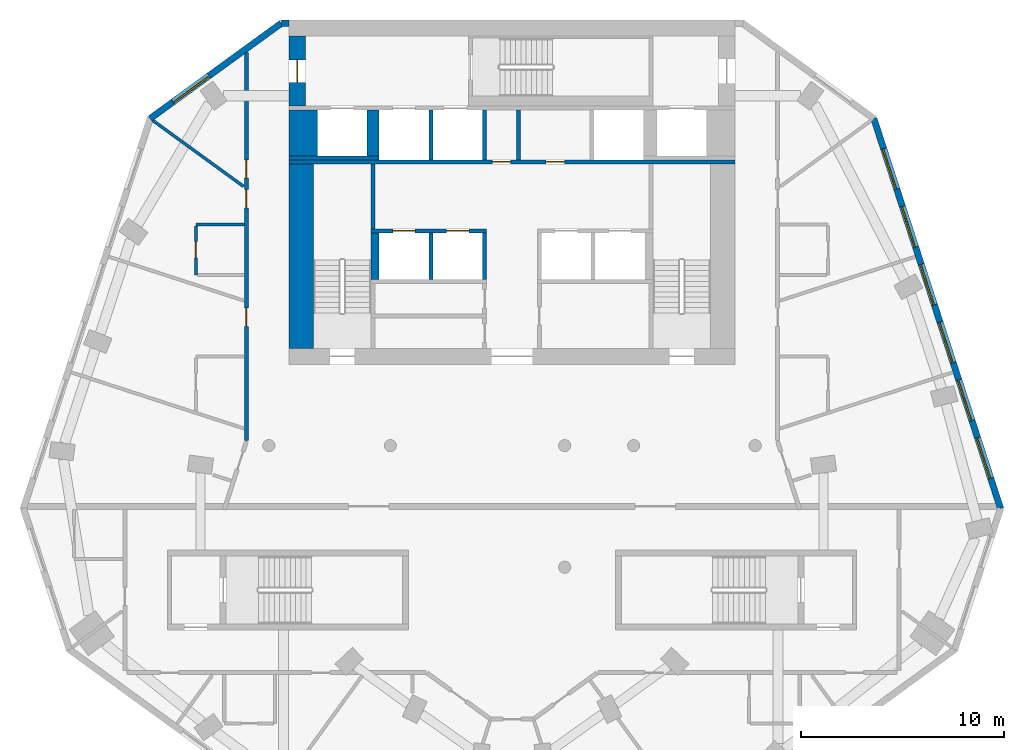
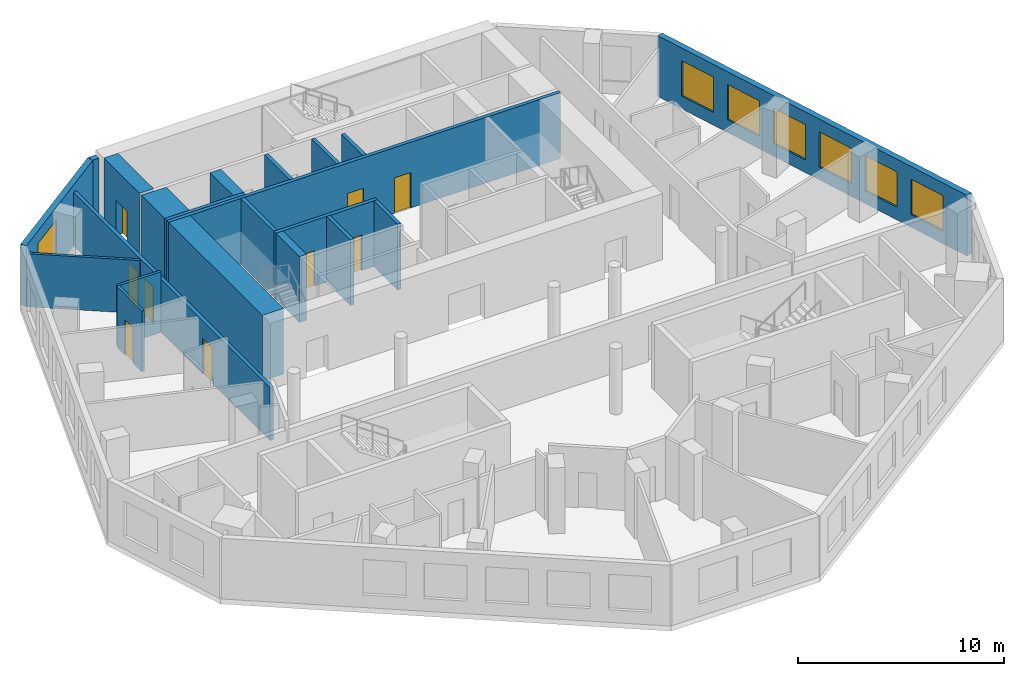
# One storey, part 5 of 9: 21 walls, 9 doors, 7 windows, 16 openings.
"""IFC4 building model written with IfcOpenShell, lengths in metres."""

from ifc_helpers import new_model, si_unit, direction, frame, frame_2d, origin, place, context, subcontext, project, spatial, rectangle, extrude, material, layer, layer_set, type_object, element, fill, save


model = new_model("IFC4")

# Units and contexts
model_context = context("Model", 3, precision=1e-05, world=origin(), true_north=direction((0.0, 1.0)))
body_context = subcontext(model_context, "Body", "Model", "MODEL_VIEW")
ifc_project = project(units=[si_unit("LENGTHUNIT", "METRE"), si_unit("AREAUNIT", "SQUARE_METRE"), si_unit("VOLUMEUNIT", "CUBIC_METRE"), si_unit("PLANEANGLEUNIT", "RADIAN"), si_unit("MASSUNIT", "GRAM", prefix="KILO")], contexts=[model_context])

# Site, building, storey
site_placement = place(None, origin())
site = spatial("IfcSite", under=ifc_project, at=site_placement, CompositionType="ELEMENT")
building_placement = place(site_placement, origin())
building = spatial("IfcBuilding", under=site, at=building_placement, Name="White Candle Pilgrim Tower", CompositionType="ELEMENT")
storey_placement = place(building_placement, frame((0.0, 0.0, 239.39990234375)))
storey = spatial("IfcBuildingStorey", under=building, at=storey_placement, Name="L56", CompositionType="ELEMENT", Elevation=239.39990234375)

# Walls
ifc_material_1 = material(Name="Concrete C50/60", Category="concrete")
ifc_layer_1 = layer(ifc_material_1, 1.39990234375)
ifc_layer_set_1 = layer_set([ifc_layer_1], Name="Core wall 1400 mm Concrete C50/60")
wall_type_1 = type_object("IfcWallType", Name="Core wall 1400 mm Concrete C50/60", PredefinedType="SHEAR", material=ifc_layer_set_1)
wall_1_placement = place(storey_placement, frame((59.699951171875, 81.300048828125, 0.0), z_axis=(0.0, 0.0, 1.0), x_axis=(0.0, 1.0, 0.0)))
element("IfcWall", 1, at=wall_1_placement, inside=storey, type_object=wall_type_1, Name="WL-L56-C40", PredefinedType="SHEAR", context=body_context, shape_type="SweptSolid", body=[
    extrude(rectangle(XDim=2.25, YDim=1.39990234375, at=frame_2d((1.125, 0.0))), origin(), (0.0, 0.0, 1.0), 3.900146484375),
])
ifc_layer_2 = layer(ifc_material_1, 0.199951171875)
ifc_layer_set_2 = layer_set([ifc_layer_2], Name="Core wall 200 mm Concrete C50/60")
wall_type_2 = type_object("IfcWallType", Name="Core wall 200 mm Concrete C50/60", PredefinedType="SHEAR", material=ifc_layer_set_2)
wall_2_placement = place(storey_placement, frame((59.0, 81.199951171875, 0.0), z_axis=(0.0, 0.0, 1.0), x_axis=(1.0, 0.0, 0.0)))
element("IfcWall", 2, at=wall_2_placement, inside=storey, type_object=wall_type_2, Name="WL-L56-C34", PredefinedType="SHEAR", context=body_context, shape_type="SweptSolid", body=[
    extrude(rectangle(XDim=4.449951171875, YDim=0.199951171875, at=frame_2d((2.22509765625, 0.0))), origin(), (0.0, 0.0, 1.0), 3.900146484375),
])

# Wall, opening, door
ifc_layer_3 = layer(ifc_material_1, 0.800048828125)
ifc_layer_set_3 = layer_set([ifc_layer_3], Name="Core wall 800 mm Concrete C50/60")
wall_type_3 = type_object("IfcWallType", Name="Core wall 800 mm Concrete C50/60", PredefinedType="SHEAR", material=ifc_layer_set_3)
wall_3_placement = place(storey_placement, frame((59.39990234375, 83.75, 0.0), z_axis=(0.0, 0.0, 1.0), x_axis=(0.0, 1.0, 0.0)))
wall_3 = element("IfcWall", 3, at=wall_3_placement, inside=storey, type_object=wall_type_3, Name="WL-L56-C45", PredefinedType="SHEAR", context=body_context, shape_type="SweptSolid", body=[
    extrude(rectangle(XDim=3.449951171875, YDim=0.800048828125, at=frame_2d((1.72509765625, 0.0))), origin(), (0.0, 0.0, 1.0), 3.900146484375),
])
opening_1_placement = place(wall_3_placement, frame((1.175048828125, 0.0, 0.0)))
opening_1 = element("IfcOpeningElement", 4, at=opening_1_placement, cuts=wall_3, Name="Opening T17-008", PredefinedType="OPENING", context=body_context, shape_type="SweptSolid", body=[
    extrude(rectangle(XDim=1.10009765625, YDim=2.10009765625, at=frame_2d((0.550048828125, 1.050048828125))), frame((0.0, 0.409912109375, 0.0), z_axis=(0.0, -1.0, 0.0), x_axis=(1.0, 0.0, 0.0)), (0.0, 0.0, 1.0), 0.820068359375),
])
ifc_material_2 = material(Name="Steel door leaf", Category="steel")
door_type_1 = type_object("IfcDoorType", Name="Fire door 1100 x 2100 EI 60", OperationType="NOTDEFINED", PredefinedType="DOOR", material=ifc_material_2)
door_1_placement = place(opening_1_placement, origin())
door_1 = element("IfcDoor", 5, at=door_1_placement, inside=storey, type_object=door_type_1, Name="Door T17-008", OperationType="SINGLE_SWING_RIGHT", OverallHeight=2.10009765625, OverallWidth=1.10009765625, PredefinedType="DOOR", context=body_context, shape_type="SweptSolid", body=[
    extrude(rectangle(XDim=1.10009765625, YDim=2.10009765625, at=frame_2d((0.550048828125, 1.050048828125))), frame((0.0, 0.02490234375, 0.0), z_axis=(0.0, -1.0, 0.0), x_axis=(1.0, 0.0, 0.0)), (0.0, 0.0, 1.0), 0.050048828125),
])
fill(opening_1, door_1)

# Wall, openings, doors
ifc_material_3 = material(Name="Gypsum board on steel studs", Category="steel")
ifc_layer_4 = layer(ifc_material_3, 0.199951171875)
ifc_layer_set_4 = layer_set([ifc_layer_4], Name="Corridor wall 200 mm EI 45")
wall_type_4 = type_object("IfcWallType", Name="Corridor wall 200 mm EI 45", PredefinedType="PARTITIONING", material=ifc_layer_set_4)
wall_4_placement = place(storey_placement, frame((56.89990234375, 67.241943359375, 0.0), z_axis=(0.0, 0.0, 1.0), x_axis=(0.0, 1.0, 0.0)))
wall_4 = element("IfcWall", 6, at=wall_4_placement, inside=storey, type_object=wall_type_4, Name="WL-L56-P003", PredefinedType="PARTITIONING", context=body_context, shape_type="SweptSolid", body=[
    extrude(rectangle(XDim=19.154296875, YDim=0.199951171875, at=frame_2d((9.5771484375, 0.0))), origin(), (0.0, 0.0, 1.0), 3.150146484375),
])
opening_2_placement = place(wall_4_placement, frame((5.646484375, 0.0, 0.0)))
opening_2 = element("IfcOpeningElement", 7, at=opening_2_placement, cuts=wall_4, Name="Opening T17-120", PredefinedType="OPENING", context=body_context, shape_type="SweptSolid", body=[
    extrude(rectangle(XDim=0.89990234375, YDim=2.10009765625, at=frame_2d((0.449951171875, 1.050048828125))), frame((0.0, 0.10986328125, 0.0), z_axis=(0.0, -1.0, 0.0), x_axis=(1.0, 0.0, 0.0)), (0.0, 0.0, 1.0), 0.219970703125),
])
opening_3_placement = place(wall_4_placement, frame((11.483642578125, 0.0, 0.0)))
opening_3 = element("IfcOpeningElement", 8, at=opening_3_placement, cuts=wall_4, Name="Opening T17-121", PredefinedType="OPENING", context=body_context, shape_type="SweptSolid", body=[
    extrude(rectangle(XDim=0.89990234375, YDim=2.10009765625, at=frame_2d((0.449951171875, 1.050048828125))), frame((0.0, 0.10986328125, 0.0), z_axis=(0.0, -1.0, 0.0), x_axis=(1.0, 0.0, 0.0)), (0.0, 0.0, 1.0), 0.219970703125),
])
opening_4_placement = place(wall_4_placement, frame((12.9580078125, 0.0, 0.0)))
opening_4 = element("IfcOpeningElement", 9, at=opening_4_placement, cuts=wall_4, Name="Opening T17-122", PredefinedType="OPENING", context=body_context, shape_type="SweptSolid", body=[
    extrude(rectangle(XDim=0.89990234375, YDim=2.10009765625, at=frame_2d((0.449951171875, 1.050048828125))), frame((0.0, 0.10986328125, 0.0), z_axis=(0.0, -1.0, 0.0), x_axis=(1.0, 0.0, 0.0)), (0.0, 0.0, 1.0), 0.219970703125),
])
door_type_2 = type_object("IfcDoorType", Name="Fire door 900 x 2100 EI 30", OperationType="NOTDEFINED", PredefinedType="DOOR", material=ifc_material_2)
door_2_placement = place(opening_2_placement, origin())
door_2 = element("IfcDoor", 10, at=door_2_placement, inside=storey, type_object=door_type_2, Name="Door T17-120", OperationType="SINGLE_SWING_RIGHT", OverallHeight=2.10009765625, OverallWidth=0.89990234375, PredefinedType="DOOR", context=body_context, shape_type="SweptSolid", body=[
    extrude(rectangle(XDim=0.89990234375, YDim=2.10009765625, at=frame_2d((0.449951171875, 1.050048828125))), frame((0.0, 0.02490234375, 0.0), z_axis=(0.0, -1.0, 0.0), x_axis=(1.0, 0.0, 0.0)), (0.0, 0.0, 1.0), 0.050048828125),
])
fill(opening_2, door_2)
door_3_placement = place(opening_3_placement, origin())
door_3 = element("IfcDoor", 11, at=door_3_placement, inside=storey, type_object=door_type_2, Name="Door T17-121", OperationType="SINGLE_SWING_LEFT", OverallHeight=2.10009765625, OverallWidth=0.89990234375, PredefinedType="DOOR", context=body_context, shape_type="SweptSolid", body=[
    extrude(rectangle(XDim=0.89990234375, YDim=2.10009765625, at=frame_2d((0.449951171875, 1.050048828125))), frame((0.0, 0.02490234375, 0.0), z_axis=(0.0, -1.0, 0.0), x_axis=(1.0, 0.0, 0.0)), (0.0, 0.0, 1.0), 0.050048828125),
])
fill(opening_3, door_3)
door_4_placement = place(opening_4_placement, origin())
door_4 = element("IfcDoor", 12, at=door_4_placement, inside=storey, type_object=door_type_2, Name="Door T17-122", OperationType="SINGLE_SWING_RIGHT", OverallHeight=2.10009765625, OverallWidth=0.89990234375, PredefinedType="DOOR", context=body_context, shape_type="SweptSolid", body=[
    extrude(rectangle(XDim=0.89990234375, YDim=2.10009765625, at=frame_2d((0.449951171875, 1.050048828125))), frame((0.0, 0.02490234375, 0.0), z_axis=(0.0, -1.0, 0.0), x_axis=(1.0, 0.0, 0.0)), (0.0, 0.0, 1.0), 0.050048828125),
])
fill(opening_4, door_4)

# Wall, openings, windows
ifc_material_4 = material(Name="Precast concrete C40/50", Category="concrete")
ifc_layer_5 = layer(ifc_material_4, 0.320068359375)
ifc_layer_set_5 = layer_set([ifc_layer_5], Name="Facade wall EW1 precast concrete C40/50 pier wall with timber-lined reveals")
wall_type_5 = type_object("IfcWallType", Name="Facade wall EW1 precast concrete C40/50 pier wall with timber-lined reveals", PredefinedType="SOLIDWALL", material=ifc_layer_set_5)
wall_5_placement = place(storey_placement, frame((94.1064453125, 63.900390625, 0.0), z_axis=(0.0, 0.0, 1.0), x_axis=(-0.309017027312, 0.951056505593, 0.0)))
wall_5 = element("IfcWall", 13, at=wall_5_placement, inside=storey, type_object=wall_type_5, Name="Facade wall L56 ENE", PredefinedType="SOLIDWALL", context=body_context, shape_type="SweptSolid", body=[
    extrude(rectangle(XDim=20.228515625, YDim=0.320068359375, at=frame_2d((10.1142578125, 0.0))), origin(), (0.0, 0.0, 1.0), 3.60009765625),
])
opening_5_placement = place(wall_5_placement, frame((1.564453125, 0.0, 0.75)))
opening_5 = element("IfcOpeningElement", 14, at=opening_5_placement, cuts=wall_5, Name="Opening W3", PredefinedType="OPENING", context=body_context, shape_type="SweptSolid", body=[
    extrude(rectangle(XDim=2.10009765625, YDim=2.10009765625, at=frame_2d((1.050048828125, 1.050048828125))), frame((0.0, 0.169921875, 0.0), z_axis=(0.0, -1.0, 0.0), x_axis=(1.0, 0.0, 0.0)), (0.0, 0.0, 1.0), 0.340087890625),
])
opening_6_placement = place(wall_5_placement, frame((4.564453125, 0.0, 0.75)))
opening_6 = element("IfcOpeningElement", 15, at=opening_6_placement, cuts=wall_5, Name="Opening W3", PredefinedType="OPENING", context=body_context, shape_type="SweptSolid", body=[
    extrude(rectangle(XDim=2.10009765625, YDim=2.10009765625, at=frame_2d((1.050048828125, 1.050048828125))), frame((0.0, 0.169921875, 0.0), z_axis=(0.0, -1.0, 0.0), x_axis=(1.0, 0.0, 0.0)), (0.0, 0.0, 1.0), 0.340087890625),
])
opening_7_placement = place(wall_5_placement, frame((7.564453125, 0.0, 0.75)))
opening_7 = element("IfcOpeningElement", 16, at=opening_7_placement, cuts=wall_5, Name="Opening W3", PredefinedType="OPENING", context=body_context, shape_type="SweptSolid", body=[
    extrude(rectangle(XDim=2.10009765625, YDim=2.10009765625, at=frame_2d((1.050048828125, 1.050048828125))), frame((0.0, 0.169921875, 0.0), z_axis=(0.0, -1.0, 0.0), x_axis=(1.0, 0.0, 0.0)), (0.0, 0.0, 1.0), 0.340087890625),
])
opening_8_placement = place(wall_5_placement, frame((10.564453125, 0.0, 0.75)))
opening_8 = element("IfcOpeningElement", 17, at=opening_8_placement, cuts=wall_5, Name="Opening W3", PredefinedType="OPENING", context=body_context, shape_type="SweptSolid", body=[
    extrude(rectangle(XDim=2.10009765625, YDim=2.10009765625, at=frame_2d((1.050048828125, 1.050048828125))), frame((0.0, 0.169921875, 0.0), z_axis=(0.0, -1.0, 0.0), x_axis=(1.0, 0.0, 0.0)), (0.0, 0.0, 1.0), 0.340087890625),
])
opening_9_placement = place(wall_5_placement, frame((13.564453125, 0.0, 0.75)))
opening_9 = element("IfcOpeningElement", 18, at=opening_9_placement, cuts=wall_5, Name="Opening W3", PredefinedType="OPENING", context=body_context, shape_type="SweptSolid", body=[
    extrude(rectangle(XDim=2.10009765625, YDim=2.10009765625, at=frame_2d((1.050048828125, 1.050048828125))), frame((0.0, 0.169921875, 0.0), z_axis=(0.0, -1.0, 0.0), x_axis=(1.0, 0.0, 0.0)), (0.0, 0.0, 1.0), 0.340087890625),
])
opening_10_placement = place(wall_5_placement, frame((16.564453125, 0.0, 0.75)))
opening_10 = element("IfcOpeningElement", 19, at=opening_10_placement, cuts=wall_5, Name="Opening W3", PredefinedType="OPENING", context=body_context, shape_type="SweptSolid", body=[
    extrude(rectangle(XDim=2.10009765625, YDim=2.10009765625, at=frame_2d((1.050048828125, 1.050048828125))), frame((0.0, 0.169921875, 0.0), z_axis=(0.0, -1.0, 0.0), x_axis=(1.0, 0.0, 0.0)), (0.0, 0.0, 1.0), 0.340087890625),
])
ifc_material_5 = material(Name="Timber frame with triple glazing", Category="wood")
window_type_1 = type_object("IfcWindowType", Name="Window W3 2100x2100 timber frame triple glazing", PartitioningType="SINGLE_PANEL", PredefinedType="WINDOW", material=ifc_material_5)
window_1_placement = place(opening_5_placement, origin())
window_1 = element("IfcWindow", 20, at=window_1_placement, inside=storey, type_object=window_type_1, Name="Window W3 L56 ENE 1", OverallHeight=2.10009765625, OverallWidth=2.10009765625, PartitioningType="SINGLE_PANEL", PredefinedType="WINDOW", context=body_context, shape_type="SweptSolid", body=[
    extrude(rectangle(XDim=2.10009765625, YDim=2.10009765625, at=frame_2d((1.050048828125, 1.050048828125))), frame((0.0, 0.070068359375, 0.0), z_axis=(0.0, -1.0, 0.0), x_axis=(1.0, 0.0, 0.0)), (0.0, 0.0, 1.0), 0.06005859375),
])
fill(opening_5, window_1)
window_2_placement = place(opening_6_placement, origin())
window_2 = element("IfcWindow", 21, at=window_2_placement, inside=storey, type_object=window_type_1, Name="Window W3 L56 ENE 2", OverallHeight=2.10009765625, OverallWidth=2.10009765625, PartitioningType="SINGLE_PANEL", PredefinedType="WINDOW", context=body_context, shape_type="SweptSolid", body=[
    extrude(rectangle(XDim=2.10009765625, YDim=2.10009765625, at=frame_2d((1.050048828125, 1.050048828125))), frame((0.0, 0.070068359375, 0.0), z_axis=(0.0, -1.0, 0.0), x_axis=(1.0, 0.0, 0.0)), (0.0, 0.0, 1.0), 0.06005859375),
])
fill(opening_6, window_2)
window_3_placement = place(opening_7_placement, origin())
window_3 = element("IfcWindow", 22, at=window_3_placement, inside=storey, type_object=window_type_1, Name="Window W3 L56 ENE 3", OverallHeight=2.10009765625, OverallWidth=2.10009765625, PartitioningType="SINGLE_PANEL", PredefinedType="WINDOW", context=body_context, shape_type="SweptSolid", body=[
    extrude(rectangle(XDim=2.10009765625, YDim=2.10009765625, at=frame_2d((1.050048828125, 1.050048828125))), frame((0.0, 0.070068359375, 0.0), z_axis=(0.0, -1.0, 0.0), x_axis=(1.0, 0.0, 0.0)), (0.0, 0.0, 1.0), 0.06005859375),
])
fill(opening_7, window_3)
window_4_placement = place(opening_8_placement, origin())
window_4 = element("IfcWindow", 23, at=window_4_placement, inside=storey, type_object=window_type_1, Name="Window W3 L56 ENE 4", OverallHeight=2.10009765625, OverallWidth=2.10009765625, PartitioningType="SINGLE_PANEL", PredefinedType="WINDOW", context=body_context, shape_type="SweptSolid", body=[
    extrude(rectangle(XDim=2.10009765625, YDim=2.10009765625, at=frame_2d((1.050048828125, 1.050048828125))), frame((0.0, 0.070068359375, 0.0), z_axis=(0.0, -1.0, 0.0), x_axis=(1.0, 0.0, 0.0)), (0.0, 0.0, 1.0), 0.06005859375),
])
fill(opening_8, window_4)
window_5_placement = place(opening_9_placement, origin())
window_5 = element("IfcWindow", 24, at=window_5_placement, inside=storey, type_object=window_type_1, Name="Window W3 L56 ENE 5", OverallHeight=2.10009765625, OverallWidth=2.10009765625, PartitioningType="SINGLE_PANEL", PredefinedType="WINDOW", context=body_context, shape_type="SweptSolid", body=[
    extrude(rectangle(XDim=2.10009765625, YDim=2.10009765625, at=frame_2d((1.050048828125, 1.050048828125))), frame((0.0, 0.070068359375, 0.0), z_axis=(0.0, -1.0, 0.0), x_axis=(1.0, 0.0, 0.0)), (0.0, 0.0, 1.0), 0.06005859375),
])
fill(opening_9, window_5)
window_6_placement = place(opening_10_placement, origin())
window_6 = element("IfcWindow", 25, at=window_6_placement, inside=storey, type_object=window_type_1, Name="Window W3 L56 ENE 6", OverallHeight=2.10009765625, OverallWidth=2.10009765625, PartitioningType="SINGLE_PANEL", PredefinedType="WINDOW", context=body_context, shape_type="SweptSolid", body=[
    extrude(rectangle(XDim=2.10009765625, YDim=2.10009765625, at=frame_2d((1.050048828125, 1.050048828125))), frame((0.0, 0.070068359375, 0.0), z_axis=(0.0, -1.0, 0.0), x_axis=(1.0, 0.0, 0.0)), (0.0, 0.0, 1.0), 0.06005859375),
])
fill(opening_10, window_6)

# Wall
wall_6_placement = place(storey_placement, frame((59.0, 87.840087890625, 0.0), z_axis=(0.0, 0.0, 1.0), x_axis=(-1.0, 0.0, 0.0)))
element("IfcWall", 26, at=wall_6_placement, inside=storey, type_object=wall_type_5, Name="Facade wall L56 N", PredefinedType="SOLIDWALL", context=body_context, shape_type="SweptSolid", body=[
    extrude(rectangle(XDim=0.385009765625, YDim=0.320068359375, at=frame_2d((0.1923828125, 0.0))), origin(), (0.0, 0.0, 1.0), 3.60009765625),
])

# Wall, opening, window
wall_7_placement = place(storey_placement, frame((58.614990234375, 87.840087890625, 0.0), z_axis=(0.0, 0.0, 1.0), x_axis=(-0.809010558388, -0.587794110566, 0.0)))
wall_7 = element("IfcWall", 27, at=wall_7_placement, inside=storey, type_object=wall_type_5, Name="Facade wall L56 NW chamfer", PredefinedType="SOLIDWALL", context=body_context, shape_type="SweptSolid", body=[
    extrude(rectangle(XDim=7.998046875, YDim=0.320068359375, at=frame_2d((3.9990234375, 0.0))), origin(), (0.0, 0.0, 1.0), 3.60009765625),
])
opening_11_placement = place(wall_7_placement, frame((4.39892578125, 0.0, 0.75)))
opening_11 = element("IfcOpeningElement", 28, at=opening_11_placement, cuts=wall_7, Name="Opening W4", PredefinedType="OPENING", context=body_context, shape_type="SweptSolid", body=[
    extrude(rectangle(XDim=2.199951171875, YDim=2.10009765625, at=frame_2d((1.10009765625, 1.050048828125))), frame((0.0, 0.169921875, 0.0), z_axis=(0.0, -1.0, 0.0), x_axis=(1.0, 0.0, 0.0)), (0.0, 0.0, 1.0), 0.340087890625),
])
window_type_2 = type_object("IfcWindowType", Name="Window W4 2200x2100 timber frame triple glazing", PartitioningType="SINGLE_PANEL", PredefinedType="WINDOW", material=ifc_material_5)
window_7_placement = place(opening_11_placement, origin())
window_7 = element("IfcWindow", 29, at=window_7_placement, inside=storey, type_object=window_type_2, Name="Window W4 L56 NW chamfer 2", OverallHeight=2.10009765625, OverallWidth=2.199951171875, PartitioningType="SINGLE_PANEL", PredefinedType="WINDOW", context=body_context, shape_type="SweptSolid", body=[
    extrude(rectangle(XDim=2.199951171875, YDim=2.10009765625, at=frame_2d((1.10009765625, 1.050048828125))), frame((0.0, 0.070068359375, 0.0), z_axis=(0.0, -1.0, 0.0), x_axis=(1.0, 0.0, 0.0)), (0.0, 0.0, 1.0), 0.06005859375),
])
fill(opening_11, window_7)

# Walls
ifc_layer_6 = layer(ifc_material_3, 0.199951171875)
ifc_layer_set_6 = layer_set([ifc_layer_6], Name="Lobby wall 200 mm EI 60")
wall_type_6 = type_object("IfcWallType", Name="Lobby wall 200 mm EI 60", PredefinedType="PARTITIONING", material=ifc_layer_set_6)
wall_8_placement = place(storey_placement, frame((70.320068359375, 81.10009765625, 0.0), z_axis=(0.0, 0.0, 1.0), x_axis=(0.0, 1.0, 0.0)))
element("IfcWall", 30, at=wall_8_placement, inside=storey, type_object=wall_type_6, Name="WL-L56-C37", PredefinedType="PARTITIONING", context=body_context, shape_type="SweptSolid", body=[
    extrude(rectangle(XDim=2.449951171875, YDim=0.199951171875, at=frame_2d((1.22509765625, 0.0))), origin(), (0.0, 0.0, 1.0), 3.60009765625),
])
ifc_layer_7 = layer(ifc_material_3, 0.14990234375)
ifc_layer_set_7 = layer_set([ifc_layer_7], Name="Partition 150 mm EI 60")
wall_type_7 = type_object("IfcWallType", Name="Partition 150 mm EI 60", PredefinedType="PARTITIONING", material=ifc_layer_set_7)
wall_9_placement = place(storey_placement, frame((52.28076171875, 83.0400390625, 0.0), z_axis=(0.0, 0.0, 1.0), x_axis=(0.809028003405, -0.587770099364, 0.0)))
element("IfcWall", 31, at=wall_9_placement, inside=storey, type_object=wall_type_7, Name="WL-L56-P013", PredefinedType="PARTITIONING", context=body_context, shape_type="SweptSolid", body=[
    extrude(rectangle(XDim=5.531494140625, YDim=0.14990234375, at=frame_2d((2.765625, 0.0))), origin(), (0.0, 0.0, 1.0), 3.150146484375),
])
wall_10_placement = place(storey_placement, frame((56.800048828125, 77.913330078125, 0.0), z_axis=(0.0, 0.0, 1.0), x_axis=(-1.0, 0.0, 0.0)))
element("IfcWall", 32, at=wall_10_placement, inside=storey, type_object=wall_type_7, Name="WL-L56-P021", PredefinedType="PARTITIONING", context=body_context, shape_type="SweptSolid", body=[
    extrude(rectangle(XDim=2.400146484375, YDim=0.14990234375, at=frame_2d((1.2001953125, 0.0))), origin(), (0.0, 0.0, 1.0), 3.60009765625),
])

# Wall, opening, door
wall_11_placement = place(storey_placement, frame((54.39990234375, 75.413330078125, 0.0), z_axis=(0.0, 0.0, 1.0), x_axis=(0.0, 1.0, 0.0)))
wall_11 = element("IfcWall", 33, at=wall_11_placement, inside=storey, type_object=wall_type_7, Name="WL-L56-P022", PredefinedType="PARTITIONING", context=body_context, shape_type="SweptSolid", body=[
    extrude(rectangle(XDim=2.425048828125, YDim=0.14990234375, at=frame_2d((1.21240234375, 0.0))), origin(), (0.0, 0.0, 1.0), 3.60009765625),
])
opening_12_placement = place(wall_11_placement, frame((0.85009765625, 0.0, 0.0)))
opening_12 = element("IfcOpeningElement", 34, at=opening_12_placement, cuts=wall_11, Name="Opening T17-101", PredefinedType="OPENING", context=body_context, shape_type="SweptSolid", body=[
    extrude(rectangle(XDim=0.800048828125, YDim=2.10009765625, at=frame_2d((0.39990234375, 1.050048828125))), frame((0.0, 0.0849609375, 0.0), z_axis=(0.0, -1.0, 0.0), x_axis=(1.0, 0.0, 0.0)), (0.0, 0.0, 1.0), 0.169921875),
])
door_type_3 = type_object("IfcDoorType", Name="Fire door 800 x 2100 EI 30", OperationType="NOTDEFINED", PredefinedType="DOOR", material=ifc_material_2)
door_5_placement = place(opening_12_placement, origin())
door_5 = element("IfcDoor", 35, at=door_5_placement, inside=storey, type_object=door_type_3, Name="Door T17-101", OperationType="SINGLE_SWING_LEFT", OverallHeight=2.10009765625, OverallWidth=0.800048828125, PredefinedType="DOOR", context=body_context, shape_type="SweptSolid", body=[
    extrude(rectangle(XDim=0.800048828125, YDim=2.10009765625, at=frame_2d((0.39990234375, 1.050048828125))), frame((0.0, 0.02490234375, 0.0), z_axis=(0.0, -1.0, 0.0), x_axis=(1.0, 0.0, 0.0)), (0.0, 0.0, 1.0), 0.050048828125),
])
fill(opening_12, door_5)

# Walls
ifc_layer_8 = layer(ifc_material_1, 0.199951171875)
ifc_layer_set_8 = layer_set([ifc_layer_8], Name="Shaft wall 200 mm Concrete C50/60")
wall_type_8 = type_object("IfcWallType", Name="Shaft wall 200 mm Concrete C50/60", PredefinedType="SHEAR", material=ifc_layer_set_8)
for number, where, z_axis, x_axis, name in (
    (36, (66.0, 75.199951171875, 0.0), (0.0, 0.0, 1.0), (0.0, 1.0, 0.0), "WL-L56-C24"),
    (37, (68.64990234375, 75.199951171875, 0.0), (0.0, 0.0, 1.0), (0.0, 1.0, 0.0), "WL-L56-C25"),
):
    element("IfcWall", number, at=place(storey_placement, frame(where, z_axis=z_axis, x_axis=x_axis)), inside=storey, type_object=wall_type_8, Name=name, PredefinedType="SHEAR", context=body_context, shape_type="SweptSolid", body=[
        extrude(rectangle(XDim=2.300048828125, YDim=0.199951171875, at=frame_2d((1.14990234375, 0.0))), origin(), (0.0, 0.0, 1.0), 3.900146484375),
    ])
for number, where, z_axis, x_axis, name in (
    (38, (66.0, 81.10009765625, 0.0), (0.0, 0.0, 1.0), (0.0, 1.0, 0.0), "WL-L56-C35"),
    (39, (68.64990234375, 81.10009765625, 0.0), (0.0, 0.0, 1.0), (0.0, 1.0, 0.0), "WL-L56-C36"),
):
    element("IfcWall", number, at=place(storey_placement, frame(where, z_axis=z_axis, x_axis=x_axis)), inside=storey, type_object=wall_type_8, Name=name, PredefinedType="SHEAR", context=body_context, shape_type="SweptSolid", body=[
        extrude(rectangle(XDim=2.449951171875, YDim=0.199951171875, at=frame_2d((1.22509765625, 0.0))), origin(), (0.0, 0.0, 1.0), 3.900146484375),
    ])
ifc_layer_9 = layer(ifc_material_1, 0.60009765625)
ifc_layer_set_9 = layer_set([ifc_layer_9], Name="Shaft wall 600 mm Concrete C50/60")
wall_type_9 = type_object("IfcWallType", Name="Shaft wall 600 mm Concrete C50/60", PredefinedType="SHEAR", material=ifc_layer_set_9)
wall_12_placement = place(storey_placement, frame((63.14990234375, 81.300048828125, 0.0), z_axis=(0.0, 0.0, 1.0), x_axis=(0.0, 1.0, 0.0)))
element("IfcWall", 40, at=wall_12_placement, inside=storey, type_object=wall_type_9, Name="WL-L56-C41", PredefinedType="SHEAR", context=body_context, shape_type="SweptSolid", body=[
    extrude(rectangle(XDim=2.25, YDim=0.60009765625, at=frame_2d((1.125, 0.0))), origin(), (0.0, 0.0, 1.0), 3.900146484375),
])
ifc_layer_10 = layer(ifc_material_1, 1.199951171875)
ifc_layer_set_10 = layer_set([ifc_layer_10], Name="Stair shaft wall 1200 mm Concrete C50/60")
wall_type_10 = type_object("IfcWallType", Name="Stair shaft wall 1200 mm Concrete C50/60", PredefinedType="SHEAR", material=ifc_layer_set_10)
wall_13_placement = place(storey_placement, frame((59.60009765625, 71.800048828125, 0.0), z_axis=(0.0, 0.0, 1.0), x_axis=(0.0, 1.0, 0.0)))
element("IfcWall", 41, at=wall_13_placement, inside=storey, type_object=wall_type_10, Name="WL-L56-C12", PredefinedType="SHEAR", context=body_context, shape_type="SweptSolid", body=[
    extrude(rectangle(XDim=9.099853515625, YDim=1.199951171875, at=frame_2d((4.5498046875, 0.0))), origin(), (0.0, 0.0, 1.0), 3.900146484375),
])

# Wall, openings, doors
ifc_layer_11 = layer(ifc_material_1, 0.199951171875)
ifc_layer_set_11 = layer_set([ifc_layer_11], Name="Stair shaft wall 200 mm Concrete C50/60")
wall_type_11 = type_object("IfcWallType", Name="Stair shaft wall 200 mm Concrete C50/60", PredefinedType="SHEAR", material=ifc_layer_set_11)
wall_14_placement = place(storey_placement, frame((63.050048828125, 77.60009765625, 0.0), z_axis=(0.0, 0.0, 1.0), x_axis=(1.0, 0.0, 0.0)))
wall_14 = element("IfcWall", 42, at=wall_14_placement, inside=storey, type_object=wall_type_11, Name="WL-L56-C29", PredefinedType="SHEAR", context=body_context, shape_type="SweptSolid", body=[
    extrude(rectangle(XDim=5.699951171875, YDim=0.199951171875, at=frame_2d((2.85009765625, 0.0))), origin(), (0.0, 0.0, 1.0), 3.900146484375),
])
opening_13_placement = place(wall_14_placement, frame((1.074951171875, 0.0, 0.0)))
opening_13 = element("IfcOpeningElement", 43, at=opening_13_placement, cuts=wall_14, Name="Opening T17-014", PredefinedType="OPENING", context=body_context, shape_type="SweptSolid", body=[
    extrude(rectangle(XDim=1.10009765625, YDim=2.10009765625, at=frame_2d((0.550048828125, 1.050048828125))), frame((0.0, 0.10986328125, 0.0), z_axis=(0.0, -1.0, 0.0), x_axis=(1.0, 0.0, 0.0)), (0.0, 0.0, 1.0), 0.219970703125),
])
opening_14_placement = place(wall_14_placement, frame((3.72509765625, 0.0, 0.0)))
opening_14 = element("IfcOpeningElement", 44, at=opening_14_placement, cuts=wall_14, Name="Opening T17-015", PredefinedType="OPENING", context=body_context, shape_type="SweptSolid", body=[
    extrude(rectangle(XDim=1.10009765625, YDim=2.10009765625, at=frame_2d((0.550048828125, 1.050048828125))), frame((0.0, 0.10986328125, 0.0), z_axis=(0.0, -1.0, 0.0), x_axis=(1.0, 0.0, 0.0)), (0.0, 0.0, 1.0), 0.219970703125),
])
ifc_material_6 = material(Name="Stainless steel", Category="steel")
door_type_4 = type_object("IfcDoorType", Name="Lift landing door 1100 x 2100 E 60", OperationType="DOUBLE_DOOR_SLIDING", PredefinedType="DOOR", material=ifc_material_6)
door_6_placement = place(opening_13_placement, origin())
door_6 = element("IfcDoor", 45, at=door_6_placement, inside=storey, type_object=door_type_4, Name="Door T17-014", OperationType="DOUBLE_DOOR_SLIDING", OverallHeight=2.10009765625, OverallWidth=1.10009765625, PredefinedType="DOOR", context=body_context, shape_type="SweptSolid", body=[
    extrude(rectangle(XDim=1.10009765625, YDim=2.10009765625, at=frame_2d((0.550048828125, 1.050048828125))), frame((0.0, 0.02490234375, 0.0), z_axis=(0.0, -1.0, 0.0), x_axis=(1.0, 0.0, 0.0)), (0.0, 0.0, 1.0), 0.050048828125),
])
fill(opening_13, door_6)
door_7_placement = place(opening_14_placement, origin())
door_7 = element("IfcDoor", 46, at=door_7_placement, inside=storey, type_object=door_type_4, Name="Door T17-015", OperationType="DOUBLE_DOOR_SLIDING", OverallHeight=2.10009765625, OverallWidth=1.10009765625, PredefinedType="DOOR", context=body_context, shape_type="SweptSolid", body=[
    extrude(rectangle(XDim=1.10009765625, YDim=2.10009765625, at=frame_2d((0.550048828125, 1.050048828125))), frame((0.0, 0.02490234375, 0.0), z_axis=(0.0, -1.0, 0.0), x_axis=(1.0, 0.0, 0.0)), (0.0, 0.0, 1.0), 0.050048828125),
])
fill(opening_14, door_7)

# Wall
wall_15_placement = place(storey_placement, frame((63.14990234375, 77.699951171875, 0.0), z_axis=(0.0, 0.0, 1.0), x_axis=(0.0, 1.0, 0.0)))
element("IfcWall", 47, at=wall_15_placement, inside=storey, type_object=wall_type_11, Name="WL-L56-C31", PredefinedType="SHEAR", context=body_context, shape_type="SweptSolid", body=[
    extrude(rectangle(XDim=3.199951171875, YDim=0.199951171875, at=frame_2d((1.60009765625, 0.0))), origin(), (0.0, 0.0, 1.0), 3.900146484375),
])

# Wall, openings, doors
wall_16_placement = place(storey_placement, frame((59.0, 81.0, 0.0), z_axis=(0.0, 0.0, 1.0), x_axis=(1.0, 0.0, 0.0)))
wall_16 = element("IfcWall", 48, at=wall_16_placement, inside=storey, type_object=wall_type_11, Name="WL-L56-C33", PredefinedType="SHEAR", context=body_context, shape_type="SweptSolid", body=[
    extrude(rectangle(XDim=22.0, YDim=0.199951171875, at=frame_2d((11.0, 0.0))), origin(), (0.0, 0.0, 1.0), 3.900146484375),
])
opening_15_placement = place(wall_16_placement, frame((10.034912109375, 0.0, 0.0)))
opening_15 = element("IfcOpeningElement", 49, at=opening_15_placement, cuts=wall_16, Name="Opening T17-022", PredefinedType="OPENING", context=body_context, shape_type="SweptSolid", body=[
    extrude(rectangle(XDim=0.89990234375, YDim=2.10009765625, at=frame_2d((0.449951171875, 1.050048828125))), frame((0.0, 0.10986328125, 0.0), z_axis=(0.0, -1.0, 0.0), x_axis=(1.0, 0.0, 0.0)), (0.0, 0.0, 1.0), 0.219970703125),
])
opening_16_placement = place(wall_16_placement, frame((12.68505859375, 0.0, 0.0)))
opening_16 = element("IfcOpeningElement", 50, at=opening_16_placement, cuts=wall_16, Name="Opening T17-023", PredefinedType="OPENING", context=body_context, shape_type="SweptSolid", body=[
    extrude(rectangle(XDim=0.89990234375, YDim=2.10009765625, at=frame_2d((0.449951171875, 1.050048828125))), frame((0.0, 0.10986328125, 0.0), z_axis=(0.0, -1.0, 0.0), x_axis=(1.0, 0.0, 0.0)), (0.0, 0.0, 1.0), 0.219970703125),
])
door_8_placement = place(opening_15_placement, origin())
door_8 = element("IfcDoor", 51, at=door_8_placement, inside=storey, type_object=door_type_2, Name="Door T17-022", OperationType="SINGLE_SWING_RIGHT", OverallHeight=2.10009765625, OverallWidth=0.89990234375, PredefinedType="DOOR", context=body_context, shape_type="SweptSolid", body=[
    extrude(rectangle(XDim=0.89990234375, YDim=2.10009765625, at=frame_2d((0.449951171875, 1.050048828125))), frame((0.0, 0.02490234375, 0.0), z_axis=(0.0, -1.0, 0.0), x_axis=(1.0, 0.0, 0.0)), (0.0, 0.0, 1.0), 0.050048828125),
])
fill(opening_15, door_8)
door_9_placement = place(opening_16_placement, origin())
door_9 = element("IfcDoor", 52, at=door_9_placement, inside=storey, type_object=door_type_2, Name="Door T17-023", OperationType="SINGLE_SWING_LEFT", OverallHeight=2.10009765625, OverallWidth=0.89990234375, PredefinedType="DOOR", context=body_context, shape_type="SweptSolid", body=[
    extrude(rectangle(XDim=0.89990234375, YDim=2.10009765625, at=frame_2d((0.449951171875, 1.050048828125))), frame((0.0, 0.02490234375, 0.0), z_axis=(0.0, -1.0, 0.0), x_axis=(1.0, 0.0, 0.0)), (0.0, 0.0, 1.0), 0.050048828125),
])
fill(opening_16, door_9)

# Wall
ifc_layer_12 = layer(ifc_material_1, 0.39990234375)
ifc_layer_set_12 = layer_set([ifc_layer_12], Name="Stair shaft wall 400 mm Concrete C50/60")
wall_type_12 = type_object("IfcWallType", Name="Stair shaft wall 400 mm Concrete C50/60", PredefinedType="SHEAR", material=ifc_layer_set_12)
wall_17_placement = place(storey_placement, frame((63.25, 75.199951171875, 0.0), z_axis=(0.0, 0.0, 1.0), x_axis=(0.0, 1.0, 0.0)))
element("IfcWall", 53, at=wall_17_placement, inside=storey, type_object=wall_type_12, Name="WL-L56-C23", PredefinedType="SHEAR", context=body_context, shape_type="SweptSolid", body=[
    extrude(rectangle(XDim=2.300048828125, YDim=0.39990234375, at=frame_2d((1.14990234375, 0.0))), origin(), (0.0, 0.0, 1.0), 3.900146484375),
])

save(model, "model.ifc")
